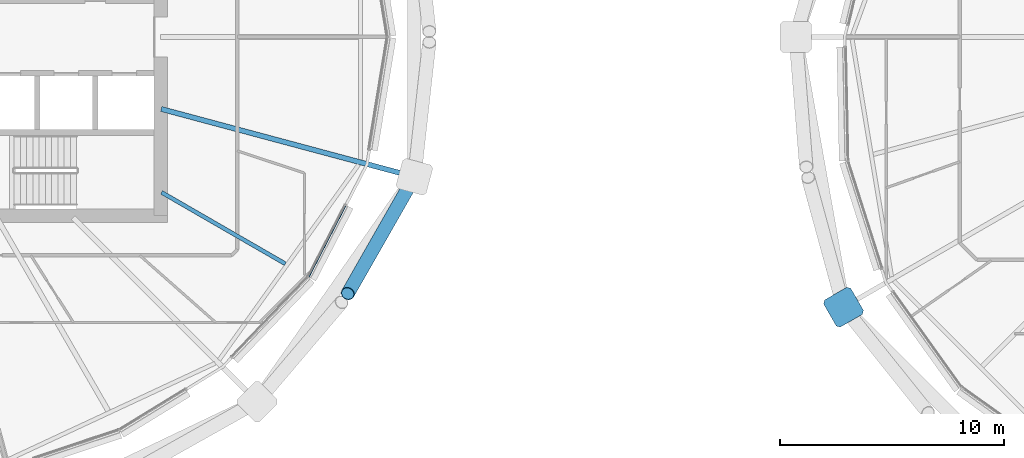
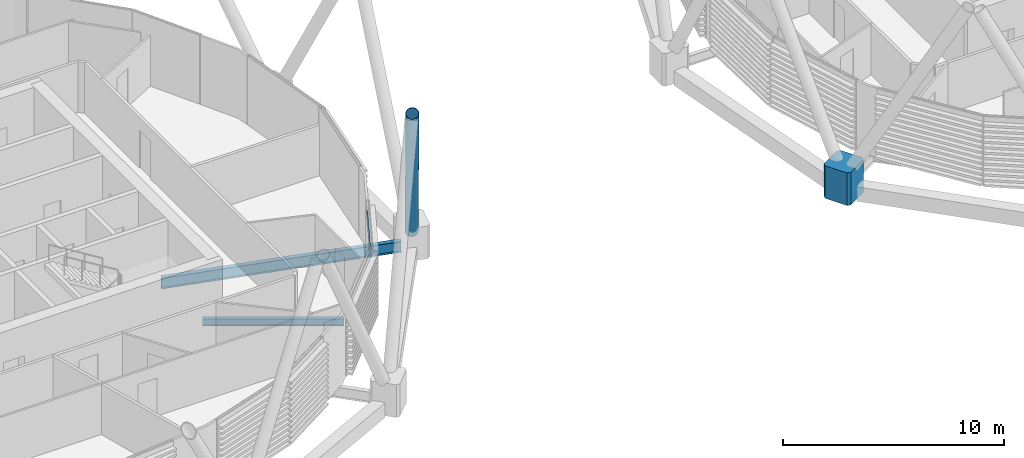
# One storey, part 7 of 37: 3 members, 2 beams, 1 element without a shape of its own.
"""IFC4 building model written with IfcOpenShell, lengths in metres."""

from ifc_helpers import new_model, si_unit, direction, frame, origin, origin_2d, place, context, subcontext, project, spatial, polyline, rectangle, hollow_circle, i_section, outline, extrude, material, material_profile, profile_set, type_object, element, aggregate, save


model = new_model("IFC4")

# Units and contexts
model_context = context("Model", 3, precision=1e-05, world=origin(), true_north=direction((0.0, 1.0)))
body_context = subcontext(model_context, "Body", "Model", "MODEL_VIEW")
ifc_project = project(units=[si_unit("LENGTHUNIT", "METRE"), si_unit("AREAUNIT", "SQUARE_METRE"), si_unit("VOLUMEUNIT", "CUBIC_METRE"), si_unit("PLANEANGLEUNIT", "RADIAN"), si_unit("MASSUNIT", "GRAM", prefix="KILO")], contexts=[model_context])

# Site, building, storey
site_placement = place(None, origin())
site = spatial("IfcSite", under=ifc_project, at=site_placement, CompositionType="ELEMENT")
building_placement = place(site_placement, origin())
building = spatial("IfcBuilding", under=site, at=building_placement, Name="Rimbun Link Towers", CompositionType="ELEMENT")
storey_placement = place(building_placement, frame((0.0, 0.0, 170.300048828125)))
storey = spatial("IfcBuildingStorey", under=building, at=storey_placement, Name="L41", CompositionType="ELEMENT", Elevation=170.300048828125)

# Curtain wall, member
ifc_material_1 = material(Name="Aluminium 6063-T6 and low-iron glass", Category="aluminium")
curtain_wall_type = type_object("IfcCurtainWallType", Name="CW1-Z3 unitised vision wall (zone 3)", PredefinedType="NOTDEFINED", material=ifc_material_1)
curtain_wall_placement = place(storey_placement, origin())
curtain_wall = element("IfcCurtainWall", 1, at=curtain_wall_placement, inside=storey, type_object=curtain_wall_type, Name="CW1 L41 T1", PredefinedType="NOTDEFINED")
ifc_material_2 = material(Name="Aluminium 6063-T6", Category="aluminium")
ifc_material_profile_1 = material_profile(ifc_material_2, rectangle(XDim=0.06005859375, YDim=0.1201171875, at=origin_2d()), Name="TRANSOM 60X120")
ifc_profile_set_1 = profile_set([ifc_material_profile_1], Name="Aluminium 6063-T6")
member_type_1 = type_object("IfcMemberType", Name="CW1 transom 60X120", PredefinedType="USERDEFINED", material=ifc_profile_set_1)
member_1_placement = place(storey_placement, frame((-11.46923828125, -7.550537109375, 3.199951171875), z_axis=(-0.459580937927, -0.888135891345, 0.0), x_axis=(0.888135891345, -0.459580937927, 0.0)))
member_1 = element("IfcMember", 2, at=member_1_placement, type_object=member_type_1, Name="CW1 transom", ObjectType="TRANSOM", PredefinedType="USERDEFINED", context=body_context, shape_type="SweptSolid", body=[
    extrude(rectangle(XDim=0.06005859375, YDim=0.1201171875, at=origin_2d()), origin(), (0.0, 0.0, 1.0), 3.572509765625),
])
aggregate(curtain_wall, [member_1])

# Members
ifc_material_3 = material(Name="Steel S355J2H", Category="steel")
ifc_material_profile_2 = material_profile(ifc_material_3, hollow_circle(Radius=0.3046875, WallThickness=0.02490234375, at=origin_2d()), Name="Diagrid diagonal CHS 610x25")
ifc_profile_set_2 = profile_set([ifc_material_profile_2], Name="Steel S355J2H")
member_type_2 = type_object("IfcMemberType", Name="Diagrid diagonal CHS 610x25", PredefinedType="BRACE", material=ifc_profile_set_2)
member_2_placement = place(storey_placement, frame((-8.510986328125, -6.468017578125, 0.438232421875), z_axis=(-0.238567263313, -0.41795536575, 0.876583694302), x_axis=(0.868479686328, -0.49572475673, 0.0)))
element("IfcMember", 3, at=member_2_placement, inside=storey, type_object=member_type_2, Name="Diagrid diagonal T1 L41-L44 23a", PredefinedType="BRACE", context=body_context, shape_type="SweptSolid", body=[
    extrude(hollow_circle(Radius=0.3046875, WallThickness=0.02490234375, at=origin_2d()), origin(), (0.0, 0.0, 1.0), 12.005126953125),
])
ifc_material_4 = material(Name="Cast steel G20Mn5+QT, Rp0.2 300 MPa", Category="steel")
ifc_material_profile_3 = material_profile(ifc_material_4, outline(polyline([(0.699951171875, -0.570068359375), (0.699951171875, 0.570068359375), (0.570068359375, 0.699951171875), (-0.570068359375, 0.699951171875), (-0.699951171875, 0.570068359375), (-0.699951171875, -0.570068359375), (-0.570068359375, -0.699951171875), (0.570068359375, -0.699951171875), (0.699951171875, -0.570068359375)])), Name="NODE 1400x1400")
ifc_profile_set_3 = profile_set([ifc_material_profile_3], Name="Cast steel G20Mn5+QT, Rp0.2 300 MPa")
member_type_3 = type_object("IfcMemberType", Name="Diagrid node cast 1400", PredefinedType="USERDEFINED", material=ifc_profile_set_3)
member_3_placement = place(storey_placement, frame((10.807373046875, -12.09130859375, -0.900146484375), z_axis=(0.0, 0.0, 1.0), x_axis=(-0.866025403784, -0.5, 0.0)))
element("IfcMember", 4, at=member_3_placement, inside=storey, type_object=member_type_3, Name="Diagrid node L41 11", ObjectType="Diagrid node", PredefinedType="USERDEFINED", context=body_context, shape_type="SweptSolid", body=[
    extrude(outline(polyline([(0.699951171875, -0.570068359375), (0.699951171875, 0.570068359375), (0.570068359375, 0.699951171875), (-0.570068359375, 0.699951171875), (-0.699951171875, 0.570068359375), (-0.699951171875, -0.570068359375), (-0.570068359375, -0.699951171875), (0.570068359375, -0.699951171875), (0.699951171875, -0.570068359375)])), origin(), (0.0, 0.0, 1.0), 1.800048828125),
])

# Beams
ifc_material_5 = material(Name="Steel S355J2", Category="steel")
ifc_material_profile_4 = material_profile(ifc_material_5, i_section(OverallWidth=0.177978515625, OverallDepth=0.406494140625, WebThickness=0.0078125, FlangeThickness=0.0126953125, at=origin_2d()), Name="UB 406x178x60")
ifc_profile_set_4 = profile_set([ifc_material_profile_4], Name="Steel S355J2")
beam_type_1 = type_object("IfcBeamType", Name="UB 406x178x60", PredefinedType="BEAM", material=ifc_profile_set_4)
beam_1_placement = place(storey_placement, frame((-19.70458984375, -6.954345703125, -0.353271484375), z_axis=(0.866020885633, -0.500007825586, 0.0), x_axis=(0.500007825586, 0.866020885633, 0.0)))
element("IfcBeam", 5, at=beam_1_placement, inside=storey, type_object=beam_type_1, Name="Radial beam T1 L41 22", PredefinedType="BEAM", context=body_context, shape_type="SweptSolid", body=[
    extrude(i_section(OverallWidth=0.177978515625, OverallDepth=0.406494140625, WebThickness=0.0078125, FlangeThickness=0.0126953125, at=origin_2d()), origin(), (0.0, 0.0, 1.0), 6.3935546875),
])
ifc_material_6 = material(Name="Steel S355J2", Category="steel")
ifc_material_profile_5 = material_profile(ifc_material_6, i_section(OverallWidth=0.2275390625, OverallDepth=0.6025390625, WebThickness=0.010498046875, FlangeThickness=0.014892578125, at=origin_2d()), Name="UB 610x229x101")
ifc_profile_set_5 = profile_set([ifc_material_profile_5], Name="Steel S355J2")
beam_type_2 = type_object("IfcBeamType", Name="UB 610x229x101", PredefinedType="BEAM", material=ifc_profile_set_5)
beam_2_placement = place(storey_placement, frame((-19.719482421875, -3.2236328125, -0.451416015625), z_axis=(0.965928930718, -0.258807458936, 0.0), x_axis=(0.258807458936, 0.965928930718, 0.0)))
element("IfcBeam", 6, at=beam_2_placement, inside=storey, type_object=beam_type_2, Name="Radial beam T1 L41 23", PredefinedType="BEAM", context=body_context, shape_type="SweptSolid", body=[
    extrude(i_section(OverallWidth=0.2275390625, OverallDepth=0.6025390625, WebThickness=0.010498046875, FlangeThickness=0.014892578125, at=origin_2d()), origin(), (0.0, 0.0, 1.0), 11.2275390625),
])

save(model, "model.ifc")
